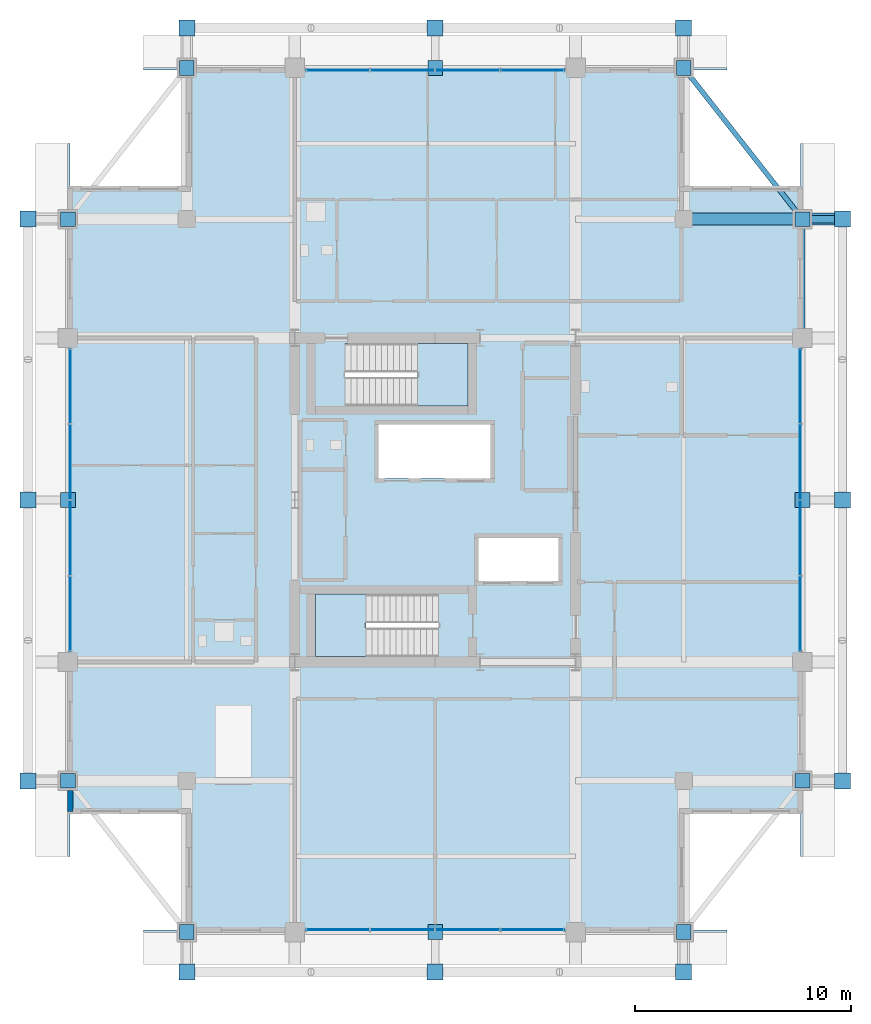
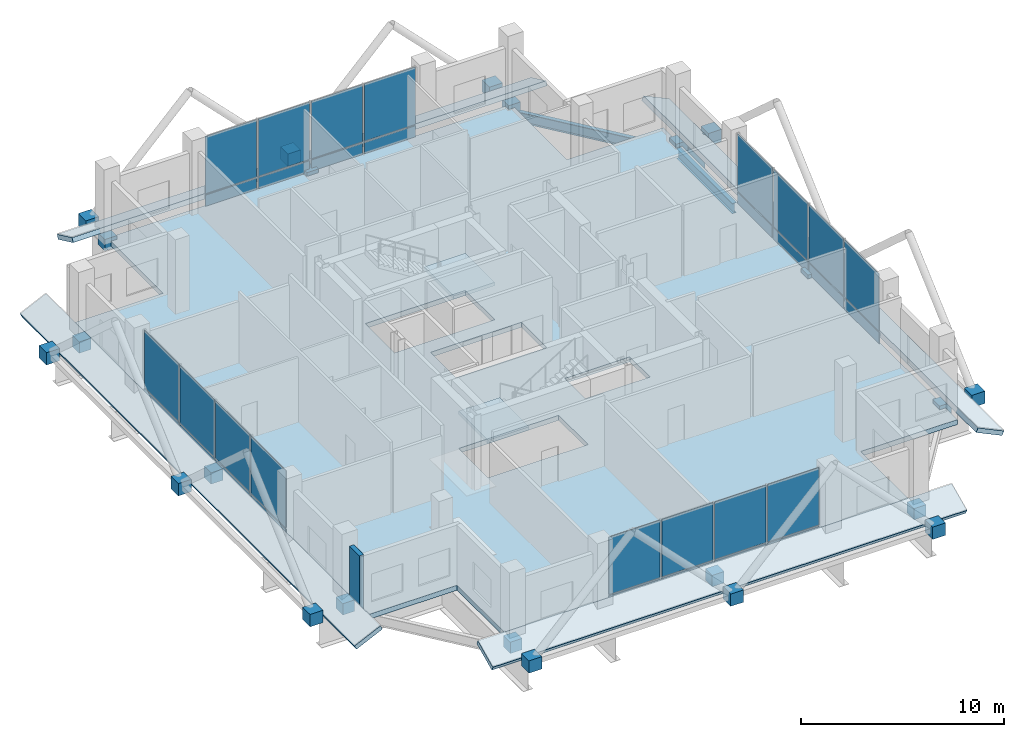
# One storey, part 19 of 27: 56 plates, 7 slabs, 3 beams, 1 member, 1 wall, 6 elements without a shape of their own.
"""IFC4 building model written with IfcOpenShell, lengths in metres."""

from ifc_helpers import new_model, si_unit, direction, frame, frame_2d, origin, origin_2d, place, context, subcontext, project, spatial, polyline, rectangle, hollow_circle, i_section, outline, extrude, material, layer, layer_set, material_profile, profile_set, type_object, element, aggregate, save


model = new_model("IFC4")

# Units and contexts
model_context = context("Model", 3, precision=1e-05, world=origin(), true_north=direction((0.0, 1.0)))
body_context = subcontext(model_context, "Body", "Model", "MODEL_VIEW")
ifc_project = project(units=[si_unit("LENGTHUNIT", "METRE"), si_unit("AREAUNIT", "SQUARE_METRE"), si_unit("VOLUMEUNIT", "CUBIC_METRE"), si_unit("PLANEANGLEUNIT", "RADIAN"), si_unit("MASSUNIT", "GRAM", prefix="KILO")], contexts=[model_context])

# Site, building, storey
site_placement = place(None, origin())
site = spatial("IfcSite", under=ifc_project, at=site_placement, CompositionType="ELEMENT")
building_placement = place(site_placement, origin())
building = spatial("IfcBuilding", under=site, at=building_placement, Name="Barlavira Tower and Art Museum", CompositionType="ELEMENT")
storey_placement = place(building_placement, frame((0.0, 0.0, 217.800048828125)))
storey = spatial("IfcBuildingStorey", under=building, at=storey_placement, Name="L56", CompositionType="ELEMENT", Elevation=217.800048828125)

# Member
ifc_material_1 = material(Name="Steel S355", Category="steel")
ifc_material_profile_1 = material_profile(ifc_material_1, hollow_circle(Radius=0.177734375, WallThickness=0.01611328125, at=origin_2d()), Name="CHS 355.6x16.0")
ifc_profile_set_1 = profile_set([ifc_material_profile_1], Name="Steel S355")
member_type = type_object("IfcMemberType", Name="Pale-Metal Exoskeleton Tie Strut CHS 356x16 Steel S355", PredefinedType="STRUT", material=ifc_profile_set_1)
member_placement = place(storey_placement, frame((18.85009765625, 13.0, -0.1201171875), z_axis=(-1.0, 0.0, 0.0), x_axis=(0.0, -1.0, 0.0)))
element("IfcMember", 1, at=member_placement, inside=storey, type_object=member_type, Name="L56 Exoskeleton Tie Strut E3", PredefinedType="STRUT", context=body_context, shape_type="SweptSolid", body=[
    extrude(hollow_circle(Radius=0.177734375, WallThickness=0.01611328125, at=origin_2d()), origin(), (0.0, 0.0, 1.0), 1.85009765625),
])

# Beams
ifc_material_profile_2 = material_profile(ifc_material_1, i_section(OverallWidth=0.22998046875, OverallDepth=0.616943359375, WebThickness=0.01318359375, FlangeThickness=0.022216796875, at=origin_2d()), Name="W610x140.0")
ifc_profile_set_2 = profile_set([ifc_material_profile_2], Name="Steel S355")
beam_type_1 = type_object("IfcBeamType", Name="Upper Shaft Spandrel Edge Beam W610x140 Steel S355", PredefinedType="SPANDREL", material=ifc_profile_set_2)
beam_1_placement = place(storey_placement, frame((17.0, 7.5, -0.608642578125), z_axis=(0.0, 1.0, 0.0), x_axis=(-1.0, 0.0, 0.0)))
element("IfcBeam", 2, at=beam_1_placement, inside=storey, type_object=beam_type_1, Name="L56 Spandrel 7", PredefinedType="SPANDREL", context=body_context, shape_type="SweptSolid", body=[
    extrude(i_section(OverallWidth=0.22998046875, OverallDepth=0.616943359375, WebThickness=0.01318359375, FlangeThickness=0.022216796875, at=origin_2d()), origin(), (0.0, 0.0, 1.0), 5.5),
])
beam_2_placement = place(storey_placement, frame((17.0, 13.0, -0.608642578125), z_axis=(-0.617821551932, 0.786318338822, 0.0), x_axis=(-0.786318338822, -0.617821551932, 0.0)))
element("IfcBeam", 3, at=beam_2_placement, inside=storey, type_object=beam_type_1, Name="L56 Spandrel 8", PredefinedType="SPANDREL", context=body_context, shape_type="SweptSolid", body=[
    extrude(i_section(OverallWidth=0.22998046875, OverallDepth=0.616943359375, WebThickness=0.01318359375, FlangeThickness=0.022216796875, at=origin_2d()), origin(), (0.0, 0.0, 1.0), 8.90234375),
])
ifc_material_profile_3 = material_profile(ifc_material_1, i_section(OverallWidth=0.550048828125, OverallDepth=1.800048828125, WebThickness=0.02587890625, FlangeThickness=0.033935546875, at=origin_2d()), Name="CVS1800x520")
ifc_profile_set_3 = profile_set([ifc_material_profile_3], Name="Steel S355")
beam_type_2 = type_object("IfcBeamType", Name="Zone Setback Transfer Girder CVS1800x520 Steel S355", PredefinedType="USERDEFINED", material=ifc_profile_set_3)
beam_3_placement = place(storey_placement, frame((11.5, 13.0, -1.199951171875), z_axis=(1.0, 0.0, 0.0), x_axis=(0.0, 1.0, 0.0)))
element("IfcBeam", 4, at=beam_3_placement, inside=storey, type_object=beam_type_2, Name="L56 Setback Transfer Girder TGL56-12", ObjectType="TRANSFER GIRDER", PredefinedType="USERDEFINED", context=body_context, shape_type="SweptSolid", body=[
    extrude(i_section(OverallWidth=0.550048828125, OverallDepth=1.800048828125, WebThickness=0.02587890625, FlangeThickness=0.033935546875, at=origin_2d()), origin(), (0.0, 0.0, 1.0), 7.0),
])

# Curtain wall, plates
ifc_material_2 = material(Name="Low-iron coastal laminated glass", Category="glass")
ifc_layer_1 = layer(ifc_material_2, 0.2099609375, Name="Low-iron coastal laminated glass")
ifc_layer_set_1 = layer_set([ifc_layer_1], Name="Low-iron coastal laminated glass")
curtain_wall_type = type_object("IfcCurtainWallType", Name="Pale-Metal Unitised Curtain Wall Zone 4", PredefinedType="NOTDEFINED", material=ifc_layer_set_1)
curtain_wall_1_placement = place(storey_placement, origin())
curtain_wall_1 = element("IfcCurtainWall", 5, at=curtain_wall_1_placement, inside=storey, type_object=curtain_wall_type, Name="L56 Curtain Wall CW4-L56-S-B2", PredefinedType="NOTDEFINED")
ifc_material_3 = material(Name="Pale anodised aluminium", Category="aluminium")
ifc_layer_2 = layer(ifc_material_3, 0.044921875, Name="Pale anodised aluminium")
ifc_layer_set_2 = layer_set([ifc_layer_2], Name="Pale anodised aluminium")
plate_type_1 = type_object("IfcPlateType", Name="Curtain Wall Pale-Metal Spandrel Panel 45", PredefinedType="CURTAIN_PANEL", material=ifc_layer_set_2)
plate_1_placement = place(storey_placement, frame((-4.5224609375, -19.89990234375, 0.0400390625), z_axis=(0.0, 0.0, 1.0), x_axis=(1.0, 0.0, 0.0)))
plate_1 = element("IfcPlate", 6, at=plate_1_placement, type_object=plate_type_1, Name="CW4-L56-S-B2 Spandrel Panel 0", PredefinedType="CURTAIN_PANEL", context=body_context, shape_type="SweptSolid", body=[
    extrude(rectangle(XDim=2.9150390625, YDim=0.044921875, at=origin_2d()), origin(), (0.0, 0.0, 1.0), 0.669921875),
])
plate_2_placement = place(storey_placement, frame((-1.507568359375, -19.89990234375, 0.0400390625), z_axis=(0.0, 0.0, 1.0), x_axis=(1.0, 0.0, 0.0)))
plate_2 = element("IfcPlate", 7, at=plate_2_placement, type_object=plate_type_1, Name="CW4-L56-S-B2 Spandrel Panel 1", PredefinedType="CURTAIN_PANEL", context=body_context, shape_type="SweptSolid", body=[
    extrude(rectangle(XDim=2.9150390625, YDim=0.044921875, at=origin_2d()), origin(), (0.0, 0.0, 1.0), 0.669921875),
])
plate_3_placement = place(storey_placement, frame((1.507568359375, -19.89990234375, 0.0400390625), z_axis=(0.0, 0.0, 1.0), x_axis=(1.0, 0.0, 0.0)))
plate_3 = element("IfcPlate", 8, at=plate_3_placement, type_object=plate_type_1, Name="CW4-L56-S-B2 Spandrel Panel 2", PredefinedType="CURTAIN_PANEL", context=body_context, shape_type="SweptSolid", body=[
    extrude(rectangle(XDim=2.9150390625, YDim=0.044921875, at=origin_2d()), origin(), (0.0, 0.0, 1.0), 0.669921875),
])
plate_4_placement = place(storey_placement, frame((4.5224609375, -19.89990234375, 0.0400390625), z_axis=(0.0, 0.0, 1.0), x_axis=(1.0, 0.0, 0.0)))
plate_4 = element("IfcPlate", 9, at=plate_4_placement, type_object=plate_type_1, Name="CW4-L56-S-B2 Spandrel Panel 3", PredefinedType="CURTAIN_PANEL", context=body_context, shape_type="SweptSolid", body=[
    extrude(rectangle(XDim=2.9150390625, YDim=0.044921875, at=origin_2d()), origin(), (0.0, 0.0, 1.0), 0.669921875),
])

curtain_wall_2_placement = place(storey_placement, origin())
curtain_wall_2 = element("IfcCurtainWall", 10, at=curtain_wall_2_placement, inside=storey, type_object=curtain_wall_type, Name="L56 Curtain Wall CW4-L56-N-B2", PredefinedType="NOTDEFINED")
plate_5_placement = place(storey_placement, frame((4.5224609375, 19.89990234375, 0.0400390625), z_axis=(0.0, 0.0, 1.0), x_axis=(-1.0, 0.0, 0.0)))
plate_5 = element("IfcPlate", 11, at=plate_5_placement, type_object=plate_type_1, Name="CW4-L56-N-B2 Spandrel Panel 0", PredefinedType="CURTAIN_PANEL", context=body_context, shape_type="SweptSolid", body=[
    extrude(rectangle(XDim=2.9150390625, YDim=0.044921875, at=origin_2d()), origin(), (0.0, 0.0, 1.0), 0.669921875),
])
plate_6_placement = place(storey_placement, frame((1.507568359375, 19.89990234375, 0.0400390625), z_axis=(0.0, 0.0, 1.0), x_axis=(-1.0, 0.0, 0.0)))
plate_6 = element("IfcPlate", 12, at=plate_6_placement, type_object=plate_type_1, Name="CW4-L56-N-B2 Spandrel Panel 1", PredefinedType="CURTAIN_PANEL", context=body_context, shape_type="SweptSolid", body=[
    extrude(rectangle(XDim=2.9150390625, YDim=0.044921875, at=origin_2d()), origin(), (0.0, 0.0, 1.0), 0.669921875),
])
plate_7_placement = place(storey_placement, frame((-1.507568359375, 19.89990234375, 0.0400390625), z_axis=(0.0, 0.0, 1.0), x_axis=(-1.0, 0.0, 0.0)))
plate_7 = element("IfcPlate", 13, at=plate_7_placement, type_object=plate_type_1, Name="CW4-L56-N-B2 Spandrel Panel 2", PredefinedType="CURTAIN_PANEL", context=body_context, shape_type="SweptSolid", body=[
    extrude(rectangle(XDim=2.9150390625, YDim=0.044921875, at=origin_2d()), origin(), (0.0, 0.0, 1.0), 0.669921875),
])
plate_8_placement = place(storey_placement, frame((-4.5224609375, 19.89990234375, 0.0400390625), z_axis=(0.0, 0.0, 1.0), x_axis=(-1.0, 0.0, 0.0)))
plate_8 = element("IfcPlate", 14, at=plate_8_placement, type_object=plate_type_1, Name="CW4-L56-N-B2 Spandrel Panel 3", PredefinedType="CURTAIN_PANEL", context=body_context, shape_type="SweptSolid", body=[
    extrude(rectangle(XDim=2.9150390625, YDim=0.044921875, at=origin_2d()), origin(), (0.0, 0.0, 1.0), 0.669921875),
])

curtain_wall_3_placement = place(storey_placement, origin())
curtain_wall_3 = element("IfcCurtainWall", 15, at=curtain_wall_3_placement, inside=storey, type_object=curtain_wall_type, Name="L56 Curtain Wall CW4-L56-W-B3", PredefinedType="NOTDEFINED")
plate_9_placement = place(storey_placement, frame((-16.89990234375, 5.2724609375, 0.0400390625), z_axis=(0.0, 0.0, 1.0), x_axis=(0.0, -1.0, 0.0)))
plate_9 = element("IfcPlate", 16, at=plate_9_placement, type_object=plate_type_1, Name="CW4-L56-W-B3 Spandrel Panel 0", PredefinedType="CURTAIN_PANEL", context=body_context, shape_type="SweptSolid", body=[
    extrude(rectangle(XDim=3.4150390625, YDim=0.044921875, at=origin_2d()), origin(), (0.0, 0.0, 1.0), 0.669921875),
])
plate_10_placement = place(storey_placement, frame((-16.89990234375, 1.757568359375, 0.0400390625), z_axis=(0.0, 0.0, 1.0), x_axis=(0.0, -1.0, 0.0)))
plate_10 = element("IfcPlate", 17, at=plate_10_placement, type_object=plate_type_1, Name="CW4-L56-W-B3 Spandrel Panel 1", PredefinedType="CURTAIN_PANEL", context=body_context, shape_type="SweptSolid", body=[
    extrude(rectangle(XDim=3.4150390625, YDim=0.044921875, at=origin_2d()), origin(), (0.0, 0.0, 1.0), 0.669921875),
])
plate_11_placement = place(storey_placement, frame((-16.89990234375, -1.757568359375, 0.0400390625), z_axis=(0.0, 0.0, 1.0), x_axis=(0.0, -1.0, 0.0)))
plate_11 = element("IfcPlate", 18, at=plate_11_placement, type_object=plate_type_1, Name="CW4-L56-W-B3 Spandrel Panel 2", PredefinedType="CURTAIN_PANEL", context=body_context, shape_type="SweptSolid", body=[
    extrude(rectangle(XDim=3.4150390625, YDim=0.044921875, at=origin_2d()), origin(), (0.0, 0.0, 1.0), 0.669921875),
])
plate_12_placement = place(storey_placement, frame((-16.89990234375, -5.2724609375, 0.0400390625), z_axis=(0.0, 0.0, 1.0), x_axis=(0.0, -1.0, 0.0)))
plate_12 = element("IfcPlate", 19, at=plate_12_placement, type_object=plate_type_1, Name="CW4-L56-W-B3 Spandrel Panel 3", PredefinedType="CURTAIN_PANEL", context=body_context, shape_type="SweptSolid", body=[
    extrude(rectangle(XDim=3.4150390625, YDim=0.044921875, at=origin_2d()), origin(), (0.0, 0.0, 1.0), 0.669921875),
])

curtain_wall_4_placement = place(storey_placement, origin())
curtain_wall_4 = element("IfcCurtainWall", 20, at=curtain_wall_4_placement, inside=storey, type_object=curtain_wall_type, Name="L56 Curtain Wall CW4-L56-E-B3", PredefinedType="NOTDEFINED")
plate_13_placement = place(storey_placement, frame((16.89990234375, -5.2724609375, 0.0400390625), z_axis=(0.0, 0.0, 1.0), x_axis=(0.0, 1.0, 0.0)))
plate_13 = element("IfcPlate", 21, at=plate_13_placement, type_object=plate_type_1, Name="CW4-L56-E-B3 Spandrel Panel 0", PredefinedType="CURTAIN_PANEL", context=body_context, shape_type="SweptSolid", body=[
    extrude(rectangle(XDim=3.4150390625, YDim=0.044921875, at=origin_2d()), origin(), (0.0, 0.0, 1.0), 0.669921875),
])
plate_14_placement = place(storey_placement, frame((16.89990234375, -1.757568359375, 0.0400390625), z_axis=(0.0, 0.0, 1.0), x_axis=(0.0, 1.0, 0.0)))
plate_14 = element("IfcPlate", 22, at=plate_14_placement, type_object=plate_type_1, Name="CW4-L56-E-B3 Spandrel Panel 1", PredefinedType="CURTAIN_PANEL", context=body_context, shape_type="SweptSolid", body=[
    extrude(rectangle(XDim=3.4150390625, YDim=0.044921875, at=origin_2d()), origin(), (0.0, 0.0, 1.0), 0.669921875),
])
plate_15_placement = place(storey_placement, frame((16.89990234375, 1.757568359375, 0.0400390625), z_axis=(0.0, 0.0, 1.0), x_axis=(0.0, 1.0, 0.0)))
plate_15 = element("IfcPlate", 23, at=plate_15_placement, type_object=plate_type_1, Name="CW4-L56-E-B3 Spandrel Panel 2", PredefinedType="CURTAIN_PANEL", context=body_context, shape_type="SweptSolid", body=[
    extrude(rectangle(XDim=3.4150390625, YDim=0.044921875, at=origin_2d()), origin(), (0.0, 0.0, 1.0), 0.669921875),
])
plate_16_placement = place(storey_placement, frame((16.89990234375, 5.2724609375, 0.0400390625), z_axis=(0.0, 0.0, 1.0), x_axis=(0.0, 1.0, 0.0)))
plate_16 = element("IfcPlate", 24, at=plate_16_placement, type_object=plate_type_1, Name="CW4-L56-E-B3 Spandrel Panel 3", PredefinedType="CURTAIN_PANEL", context=body_context, shape_type="SweptSolid", body=[
    extrude(rectangle(XDim=3.4150390625, YDim=0.044921875, at=origin_2d()), origin(), (0.0, 0.0, 1.0), 0.669921875),
])

# Plate
ifc_layer_3 = layer(ifc_material_2, 0.028076171875, Name="Low-iron coastal laminated glass")
ifc_layer_set_3 = layer_set([ifc_layer_3], Name="Low-iron coastal laminated glass")
plate_type_2 = type_object("IfcPlateType", Name="Curtain Wall Vision Glazing Panel 28", PredefinedType="CURTAIN_PANEL", material=ifc_layer_set_3)
plate_17_placement = place(storey_placement, frame((-4.5224609375, -19.89990234375, 0.7900390625), z_axis=(0.0, 0.0, 1.0), x_axis=(1.0, 0.0, 0.0)))
plate_17 = element("IfcPlate", 25, at=plate_17_placement, type_object=plate_type_2, Name="CW4-L56-S-B2 Vision Glass Panel 0", PredefinedType="CURTAIN_PANEL", context=body_context, shape_type="SweptSolid", body=[
    extrude(rectangle(XDim=2.9150390625, YDim=0.028076171875, at=origin_2d()), origin(), (0.0, 0.0, 1.0), 3.449951171875),
])

plate_18_placement = place(storey_placement, frame((-1.507568359375, -19.89990234375, 0.7900390625), z_axis=(0.0, 0.0, 1.0), x_axis=(1.0, 0.0, 0.0)))
plate_18 = element("IfcPlate", 26, at=plate_18_placement, type_object=plate_type_2, Name="CW4-L56-S-B2 Vision Glass Panel 1", PredefinedType="CURTAIN_PANEL", context=body_context, shape_type="SweptSolid", body=[
    extrude(rectangle(XDim=2.9150390625, YDim=0.028076171875, at=origin_2d()), origin(), (0.0, 0.0, 1.0), 3.449951171875),
])

plate_19_placement = place(storey_placement, frame((1.507568359375, -19.89990234375, 0.7900390625), z_axis=(0.0, 0.0, 1.0), x_axis=(1.0, 0.0, 0.0)))
plate_19 = element("IfcPlate", 27, at=plate_19_placement, type_object=plate_type_2, Name="CW4-L56-S-B2 Vision Glass Panel 2", PredefinedType="CURTAIN_PANEL", context=body_context, shape_type="SweptSolid", body=[
    extrude(rectangle(XDim=2.9150390625, YDim=0.028076171875, at=origin_2d()), origin(), (0.0, 0.0, 1.0), 3.449951171875),
])

plate_20_placement = place(storey_placement, frame((4.5224609375, -19.89990234375, 0.7900390625), z_axis=(0.0, 0.0, 1.0), x_axis=(1.0, 0.0, 0.0)))
plate_20 = element("IfcPlate", 28, at=plate_20_placement, type_object=plate_type_2, Name="CW4-L56-S-B2 Vision Glass Panel 3", PredefinedType="CURTAIN_PANEL", context=body_context, shape_type="SweptSolid", body=[
    extrude(rectangle(XDim=2.9150390625, YDim=0.028076171875, at=origin_2d()), origin(), (0.0, 0.0, 1.0), 3.449951171875),
])

aggregate(curtain_wall_1, [plate_1, plate_17, plate_2, plate_18, plate_3, plate_19, plate_4, plate_20])

plate_21_placement = place(storey_placement, frame((4.5224609375, 19.89990234375, 0.7900390625), z_axis=(0.0, 0.0, 1.0), x_axis=(-1.0, 0.0, 0.0)))
plate_21 = element("IfcPlate", 29, at=plate_21_placement, type_object=plate_type_2, Name="CW4-L56-N-B2 Vision Glass Panel 0", PredefinedType="CURTAIN_PANEL", context=body_context, shape_type="SweptSolid", body=[
    extrude(rectangle(XDim=2.9150390625, YDim=0.028076171875, at=origin_2d()), origin(), (0.0, 0.0, 1.0), 3.449951171875),
])

plate_22_placement = place(storey_placement, frame((1.507568359375, 19.89990234375, 0.7900390625), z_axis=(0.0, 0.0, 1.0), x_axis=(-1.0, 0.0, 0.0)))
plate_22 = element("IfcPlate", 30, at=plate_22_placement, type_object=plate_type_2, Name="CW4-L56-N-B2 Vision Glass Panel 1", PredefinedType="CURTAIN_PANEL", context=body_context, shape_type="SweptSolid", body=[
    extrude(rectangle(XDim=2.9150390625, YDim=0.028076171875, at=origin_2d()), origin(), (0.0, 0.0, 1.0), 3.449951171875),
])

plate_23_placement = place(storey_placement, frame((-1.507568359375, 19.89990234375, 0.7900390625), z_axis=(0.0, 0.0, 1.0), x_axis=(-1.0, 0.0, 0.0)))
plate_23 = element("IfcPlate", 31, at=plate_23_placement, type_object=plate_type_2, Name="CW4-L56-N-B2 Vision Glass Panel 2", PredefinedType="CURTAIN_PANEL", context=body_context, shape_type="SweptSolid", body=[
    extrude(rectangle(XDim=2.9150390625, YDim=0.028076171875, at=origin_2d()), origin(), (0.0, 0.0, 1.0), 3.449951171875),
])

plate_24_placement = place(storey_placement, frame((-4.5224609375, 19.89990234375, 0.7900390625), z_axis=(0.0, 0.0, 1.0), x_axis=(-1.0, 0.0, 0.0)))
plate_24 = element("IfcPlate", 32, at=plate_24_placement, type_object=plate_type_2, Name="CW4-L56-N-B2 Vision Glass Panel 3", PredefinedType="CURTAIN_PANEL", context=body_context, shape_type="SweptSolid", body=[
    extrude(rectangle(XDim=2.9150390625, YDim=0.028076171875, at=origin_2d()), origin(), (0.0, 0.0, 1.0), 3.449951171875),
])

aggregate(curtain_wall_2, [plate_5, plate_21, plate_6, plate_22, plate_7, plate_23, plate_8, plate_24])

plate_25_placement = place(storey_placement, frame((-16.89990234375, 5.2724609375, 0.7900390625), z_axis=(0.0, 0.0, 1.0), x_axis=(0.0, -1.0, 0.0)))
plate_25 = element("IfcPlate", 33, at=plate_25_placement, type_object=plate_type_2, Name="CW4-L56-W-B3 Vision Glass Panel 0", PredefinedType="CURTAIN_PANEL", context=body_context, shape_type="SweptSolid", body=[
    extrude(rectangle(XDim=3.4150390625, YDim=0.028076171875, at=origin_2d()), origin(), (0.0, 0.0, 1.0), 3.449951171875),
])

plate_26_placement = place(storey_placement, frame((-16.89990234375, 1.757568359375, 0.7900390625), z_axis=(0.0, 0.0, 1.0), x_axis=(0.0, -1.0, 0.0)))
plate_26 = element("IfcPlate", 34, at=plate_26_placement, type_object=plate_type_2, Name="CW4-L56-W-B3 Vision Glass Panel 1", PredefinedType="CURTAIN_PANEL", context=body_context, shape_type="SweptSolid", body=[
    extrude(rectangle(XDim=3.4150390625, YDim=0.028076171875, at=origin_2d()), origin(), (0.0, 0.0, 1.0), 3.449951171875),
])

plate_27_placement = place(storey_placement, frame((-16.89990234375, -1.757568359375, 0.7900390625), z_axis=(0.0, 0.0, 1.0), x_axis=(0.0, -1.0, 0.0)))
plate_27 = element("IfcPlate", 35, at=plate_27_placement, type_object=plate_type_2, Name="CW4-L56-W-B3 Vision Glass Panel 2", PredefinedType="CURTAIN_PANEL", context=body_context, shape_type="SweptSolid", body=[
    extrude(rectangle(XDim=3.4150390625, YDim=0.028076171875, at=origin_2d()), origin(), (0.0, 0.0, 1.0), 3.449951171875),
])

plate_28_placement = place(storey_placement, frame((-16.89990234375, -5.2724609375, 0.7900390625), z_axis=(0.0, 0.0, 1.0), x_axis=(0.0, -1.0, 0.0)))
plate_28 = element("IfcPlate", 36, at=plate_28_placement, type_object=plate_type_2, Name="CW4-L56-W-B3 Vision Glass Panel 3", PredefinedType="CURTAIN_PANEL", context=body_context, shape_type="SweptSolid", body=[
    extrude(rectangle(XDim=3.4150390625, YDim=0.028076171875, at=origin_2d()), origin(), (0.0, 0.0, 1.0), 3.449951171875),
])

aggregate(curtain_wall_3, [plate_9, plate_25, plate_10, plate_26, plate_11, plate_27, plate_12, plate_28])

plate_29_placement = place(storey_placement, frame((16.89990234375, -5.2724609375, 0.7900390625), z_axis=(0.0, 0.0, 1.0), x_axis=(0.0, 1.0, 0.0)))
plate_29 = element("IfcPlate", 37, at=plate_29_placement, type_object=plate_type_2, Name="CW4-L56-E-B3 Vision Glass Panel 0", PredefinedType="CURTAIN_PANEL", context=body_context, shape_type="SweptSolid", body=[
    extrude(rectangle(XDim=3.4150390625, YDim=0.028076171875, at=origin_2d()), origin(), (0.0, 0.0, 1.0), 3.449951171875),
])

plate_30_placement = place(storey_placement, frame((16.89990234375, -1.757568359375, 0.7900390625), z_axis=(0.0, 0.0, 1.0), x_axis=(0.0, 1.0, 0.0)))
plate_30 = element("IfcPlate", 38, at=plate_30_placement, type_object=plate_type_2, Name="CW4-L56-E-B3 Vision Glass Panel 1", PredefinedType="CURTAIN_PANEL", context=body_context, shape_type="SweptSolid", body=[
    extrude(rectangle(XDim=3.4150390625, YDim=0.028076171875, at=origin_2d()), origin(), (0.0, 0.0, 1.0), 3.449951171875),
])

plate_31_placement = place(storey_placement, frame((16.89990234375, 1.757568359375, 0.7900390625), z_axis=(0.0, 0.0, 1.0), x_axis=(0.0, 1.0, 0.0)))
plate_31 = element("IfcPlate", 39, at=plate_31_placement, type_object=plate_type_2, Name="CW4-L56-E-B3 Vision Glass Panel 2", PredefinedType="CURTAIN_PANEL", context=body_context, shape_type="SweptSolid", body=[
    extrude(rectangle(XDim=3.4150390625, YDim=0.028076171875, at=origin_2d()), origin(), (0.0, 0.0, 1.0), 3.449951171875),
])

plate_32_placement = place(storey_placement, frame((16.89990234375, 5.2724609375, 0.7900390625), z_axis=(0.0, 0.0, 1.0), x_axis=(0.0, 1.0, 0.0)))
plate_32 = element("IfcPlate", 40, at=plate_32_placement, type_object=plate_type_2, Name="CW4-L56-E-B3 Vision Glass Panel 3", PredefinedType="CURTAIN_PANEL", context=body_context, shape_type="SweptSolid", body=[
    extrude(rectangle(XDim=3.4150390625, YDim=0.028076171875, at=origin_2d()), origin(), (0.0, 0.0, 1.0), 3.449951171875),
])

aggregate(curtain_wall_4, [plate_13, plate_29, plate_14, plate_30, plate_15, plate_31, plate_16, plate_32])

# Plates
ifc_layer_4 = layer(ifc_material_1, 0.739990234375, Name="Steel S355")
ifc_layer_set_4 = layer_set([ifc_layer_4], Name="Steel S355")
plate_type_3 = type_object("IfcPlateType", Name="Exoskeleton Solid Steel Node Cap Plate Assembly Type 4 Steel S355", PredefinedType="USERDEFINED", material=ifc_layer_set_4)
for number, where, z_axis, x_axis, name in (
    (41, (-11.5, -21.85009765625, -0.490234375), (0.0, 0.0, 1.0), (1.0, 0.0, 0.0), "Exoskeleton Node S ND-L56-0625"),
    (42, (0.0, -21.85009765625, -0.490234375), (0.0, 0.0, 1.0), (1.0, 0.0, 0.0), "Exoskeleton Node S ND-L56-0626"),
    (43, (11.5, -21.85009765625, -0.490234375), (0.0, 0.0, 1.0), (1.0, 0.0, 0.0), "Exoskeleton Node S ND-L56-0627"),
    (44, (-11.5, 21.85009765625, -0.490234375), (0.0, 0.0, 1.0), (1.0, 0.0, 0.0), "Exoskeleton Node N ND-L56-0636"),
    (45, (0.0, 21.85009765625, -0.490234375), (0.0, 0.0, 1.0), (1.0, 0.0, 0.0), "Exoskeleton Node N ND-L56-0637"),
    (46, (11.5, 21.85009765625, -0.490234375), (0.0, 0.0, 1.0), (1.0, 0.0, 0.0), "Exoskeleton Node N ND-L56-0638"),
    (47, (-18.85009765625, -13.0, -0.490234375), (0.0, 0.0, 1.0), (1.0, 0.0, 0.0), "Exoskeleton Node W ND-L56-0647"),
    (48, (-18.85009765625, 0.0, -0.490234375), (0.0, 0.0, 1.0), (1.0, 0.0, 0.0), "Exoskeleton Node W ND-L56-0648"),
    (49, (-18.85009765625, 13.0, -0.490234375), (0.0, 0.0, 1.0), (1.0, 0.0, 0.0), "Exoskeleton Node W ND-L56-0649"),
    (50, (18.85009765625, -13.0, -0.490234375), (0.0, 0.0, 1.0), (1.0, 0.0, 0.0), "Exoskeleton Node E ND-L56-0658"),
    (51, (18.85009765625, 0.0, -0.490234375), (0.0, 0.0, 1.0), (1.0, 0.0, 0.0), "Exoskeleton Node E ND-L56-0659"),
    (52, (18.85009765625, 13.0, -0.490234375), (0.0, 0.0, 1.0), (1.0, 0.0, 0.0), "Exoskeleton Node E ND-L56-0660"),
):
    element("IfcPlate", number, at=place(storey_placement, frame(where, z_axis=z_axis, x_axis=x_axis)), inside=storey, type_object=plate_type_3, Name=name, ObjectType="FLANGE_PLATE", PredefinedType="USERDEFINED", context=body_context, shape_type="SweptSolid", body=[
        extrude(rectangle(XDim=0.739990234375, YDim=0.739990234375, at=origin_2d()), origin(), (0.0, 0.0, 1.0), 0.739990234375),
    ])
ifc_layer_5 = layer(ifc_material_1, 0.679931640625, Name="Steel S355")
ifc_layer_set_5 = layer_set([ifc_layer_5], Name="Steel S355")
plate_type_4 = type_object("IfcPlateType", Name="Exoskeleton Tie-Back Solid Cap Plate Assembly Type 5 Steel S355", PredefinedType="USERDEFINED", material=ifc_layer_set_5)
for number, where, z_axis, x_axis, name in (
    (53, (-11.5, -20.0, -0.4599609375), (0.0, 0.0, 1.0), (1.0, 0.0, 0.0), "Slab Edge Tie Cap Plate S1 ND-L56-0633"),
    (54, (0.0, -20.0, -0.4599609375), (0.0, 0.0, 1.0), (1.0, 0.0, 0.0), "Slab Edge Tie Cap Plate S2 ND-L56-0634"),
    (55, (11.5, -20.0, -0.4599609375), (0.0, 0.0, 1.0), (1.0, 0.0, 0.0), "Slab Edge Tie Cap Plate S3 ND-L56-0635"),
    (56, (-11.5, 20.0, -0.4599609375), (0.0, 0.0, 1.0), (1.0, 0.0, 0.0), "Slab Edge Tie Cap Plate N1 ND-L56-0644"),
    (57, (0.0, 20.0, -0.4599609375), (0.0, 0.0, 1.0), (1.0, 0.0, 0.0), "Slab Edge Tie Cap Plate N2 ND-L56-0645"),
    (58, (11.5, 20.0, -0.4599609375), (0.0, 0.0, 1.0), (1.0, 0.0, 0.0), "Slab Edge Tie Cap Plate N3 ND-L56-0646"),
    (59, (-17.0, -13.0, -0.4599609375), (0.0, 0.0, 1.0), (1.0, 0.0, 0.0), "Slab Edge Tie Cap Plate W1 ND-L56-0655"),
    (60, (-17.0, 0.0, -0.4599609375), (0.0, 0.0, 1.0), (1.0, 0.0, 0.0), "Slab Edge Tie Cap Plate W2 ND-L56-0656"),
    (61, (-17.0, 13.0, -0.4599609375), (0.0, 0.0, 1.0), (1.0, 0.0, 0.0), "Slab Edge Tie Cap Plate W3 ND-L56-0657"),
    (62, (17.0, -13.0, -0.4599609375), (0.0, 0.0, 1.0), (1.0, 0.0, 0.0), "Slab Edge Tie Cap Plate E1 ND-L56-0666"),
    (63, (17.0, 0.0, -0.4599609375), (0.0, 0.0, 1.0), (1.0, 0.0, 0.0), "Slab Edge Tie Cap Plate E2 ND-L56-0667"),
    (64, (17.0, 13.0, -0.4599609375), (0.0, 0.0, 1.0), (1.0, 0.0, 0.0), "Slab Edge Tie Cap Plate E3 ND-L56-0668"),
):
    element("IfcPlate", number, at=place(storey_placement, frame(where, z_axis=z_axis, x_axis=x_axis)), inside=storey, type_object=plate_type_4, Name=name, ObjectType="FLANGE_PLATE", PredefinedType="USERDEFINED", context=body_context, shape_type="SweptSolid", body=[
        extrude(rectangle(XDim=0.679931640625, YDim=0.679931640625, at=origin_2d()), origin(), (0.0, 0.0, 1.0), 0.679931640625),
    ])

# Slabs
ifc_material_4 = material(Name="Concrete C55", Category="concrete")
ifc_layer_6 = layer(ifc_material_4, 0.300048828125, Name="Concrete C55")
ifc_layer_set_6 = layer_set([ifc_layer_6], Name="Concrete C55")
slab_type_1 = type_object("IfcSlabType", Name="Sky-Lobby and Wind-Refuge Heavy Slab 300 Concrete C55", PredefinedType="FLOOR", material=ifc_layer_set_6)
slab_1_placement = place(storey_placement, frame((0.0, 0.0, -0.300048828125)))
element("IfcSlab", 65, at=slab_1_placement, inside=storey, type_object=slab_type_1, Name="L56 Tower Floor Slab", PredefinedType="FLOOR", context=body_context, shape_type="SweptSolid", body=[
    extrude(outline(polyline([(-11.5, -20.0), (11.5, -20.0), (11.5, -14.5), (17.0, -14.5), (17.0, 14.5), (11.5, 14.5), (11.5, 20.0), (-11.5, 20.0), (-11.5, 14.5), (-17.0, 14.5), (-17.0, -14.5), (-11.5, -14.5), (-11.5, -20.0)]), holes=[polyline([(0.14990234375, -4.35009765625), (-5.550048828125, -4.35009765625), (-5.550048828125, -7.25), (0.14990234375, -7.25), (0.14990234375, -4.35009765625)]), polyline([(-4.169921875, 4.35009765625), (1.530029296875, 4.35009765625), (1.530029296875, 7.25), (-4.169921875, 7.25), (-4.169921875, 4.35009765625)]), polyline([(-2.6201171875, 1.0), (2.56005859375, 1.0), (2.56005859375, 3.5), (-2.6201171875, 3.5), (-2.6201171875, 1.0)]), polyline([(2.0, -3.75), (5.699951171875, -3.75), (5.699951171875, -1.75), (2.0, -1.75), (2.0, -3.75)])]), origin(), (0.0, 0.0, 1.0), 0.300048828125),
])
ifc_material_5 = material(Name="Precast concrete C40", Category="concrete")
ifc_layer_7 = layer(ifc_material_5, 0.260009765625, Name="Precast concrete C40")
ifc_layer_set_7 = layer_set([ifc_layer_7], Name="Precast concrete C40")
slab_type_2 = type_object("IfcSlabType", Name="Sloped Pale-Metal Step-In Roof Strip 260 Precast C40", PredefinedType="ROOF", material=ifc_layer_set_7)
for number, where, z_axis, x_axis, name in (
    (66, (-13.5, -20.02001953125, 0.699462890625), (0.0, -0.42729760809, 0.904111029753), (1.0, 0.0, 0.0), "L56 S Chisel Step-In Sloped Roof Strip"),
    (67, (-13.5, 21.5, 0.0), (0.0, 0.42729760809, 0.904111029753), (1.0, 0.0, 0.0), "L56 N Chisel Step-In Sloped Roof Strip"),
):
    element("IfcSlab", number, at=place(storey_placement, frame(where, z_axis=z_axis, x_axis=x_axis)), inside=storey, type_object=slab_type_2, Name=name, PredefinedType="ROOF", context=body_context, shape_type="SweptSolid", body=[
        extrude(outline(polyline([(0.0, 0.0), (27.0, 0.0), (27.0, -1.6369454857272892), (0.0, -1.6369454857272892), (0.0, 0.0)])), origin(), (0.0, 0.0, -1.0), 0.260009765625),
    ])
for number, where, z_axis, x_axis, name in (
    (68, (-18.5, -16.5, 0.0), (-0.42729760809, 0.0, 0.904111029753), (0.904111029753, 0.0, 0.42729760809), "L56 W Chisel Step-In Sloped Roof Strip"),
    (69, (17.02001953125, -16.5, 0.699462890625), (0.42729760809, 0.0, 0.904111029753), (0.904111029753, 0.0, -0.42729760809), "L56 E Chisel Step-In Sloped Roof Strip"),
):
    element("IfcSlab", number, at=place(storey_placement, frame(where, z_axis=z_axis, x_axis=x_axis)), inside=storey, type_object=slab_type_2, Name=name, PredefinedType="ROOF", context=body_context, shape_type="SweptSolid", body=[
        extrude(outline(polyline([(0.0, 0.0), (1.6369454857272892, 0.0), (1.6369454857272892, 33.0), (0.0, 33.0), (0.0, 0.0)])), origin(), (0.0, 0.0, -1.0), 0.260009765625),
    ])

# Stair, slab
ifc_material_6 = material(Name="Concrete C45", Category="concrete")
stair_type_1 = type_object("IfcStairType", Name="Tower North Dog-Leg Exit Stair Assembly Concrete C45", PredefinedType="TWO_QUARTER_TURN_STAIR", material=ifc_material_6)
stair_1_placement = place(storey_placement, origin())
stair_1 = element("IfcStair", 70, at=stair_1_placement, inside=storey, type_object=stair_type_1, Name="L56 Tower North Exit Stair ST-T2", PredefinedType="TWO_QUARTER_TURN_STAIR")
ifc_layer_8 = layer(ifc_material_6, 0.199951171875, Name="Concrete C45")
ifc_layer_set_8 = layer_set([ifc_layer_8], Name="Concrete C45")
slab_type_3 = type_object("IfcSlabType", Name="Tower North Dog-Leg Exit Stair Half-Landing Slab 200 Concrete C45", PredefinedType="LANDING", material=ifc_layer_set_8)
slab_2_placement = place(storey_placement, frame((0.0, 0.0, 2.050048828125)))
slab_2 = element("IfcSlab", 71, at=slab_2_placement, type_object=slab_type_3, Name="ST-T2 landing 1", PredefinedType="LANDING", context=body_context, shape_type="SweptSolid", body=[
    extrude(outline(polyline([(-0.81005859375, 4.35009765625), (1.530029296875, 4.35009765625), (1.530029296875, 7.25), (-0.81005859375, 7.25), (-0.81005859375, 4.35009765625)])), origin(), (0.0, 0.0, 1.0), 0.199951171875),
])
aggregate(stair_1, [slab_2])

stair_type_2 = type_object("IfcStairType", Name="Tower South Dog-Leg Exit Stair Assembly Concrete C45", PredefinedType="TWO_QUARTER_TURN_STAIR", material=ifc_material_6)
stair_2_placement = place(storey_placement, origin())
stair_2 = element("IfcStair", 72, at=stair_2_placement, inside=storey, type_object=stair_type_2, Name="L56 Tower South Exit Stair ST-T1", PredefinedType="TWO_QUARTER_TURN_STAIR")
ifc_layer_9 = layer(ifc_material_6, 0.199951171875, Name="Concrete C45")
ifc_layer_set_9 = layer_set([ifc_layer_9], Name="Concrete C45")
slab_type_4 = type_object("IfcSlabType", Name="Tower South Dog-Leg Exit Stair Half-Landing Slab 200 Concrete C45", PredefinedType="LANDING", material=ifc_layer_set_9)
slab_3_placement = place(storey_placement, frame((0.0, 0.0, 2.050048828125)))
slab_3 = element("IfcSlab", 73, at=slab_3_placement, type_object=slab_type_4, Name="ST-T1 landing 1", PredefinedType="LANDING", context=body_context, shape_type="SweptSolid", body=[
    extrude(outline(polyline([(-3.2099609375, -4.35009765625), (-5.550048828125, -4.35009765625), (-5.550048828125, -7.25), (-3.2099609375, -7.25), (-3.2099609375, -4.35009765625)])), origin(), (0.0, 0.0, 1.0), 0.199951171875),
])
aggregate(stair_2, [slab_3])

# Wall
ifc_layer_10 = layer(ifc_material_5, 0.25, Name="Precast concrete C40")
ifc_layer_set_10 = layer_set([ifc_layer_10], Name="Precast concrete C40")
wall_type = type_object("IfcWallType", Name="Notched Corner Spandrel Wall 250 Precast Concrete C40", PredefinedType="SOLIDWALL", material=ifc_layer_set_10)
wall_placement = place(storey_placement, frame((-16.89990234375, -13.445068359375, 0.0), z_axis=(0.0, 0.0, 1.0), x_axis=(0.0, -1.0, 0.0)))
element("IfcWall", 74, at=wall_placement, inside=storey, type_object=wall_type, Name="L56 Coastal Facade Pier Wall CW4-L56-W-5", PredefinedType="SOLIDWALL", context=body_context, shape_type="SweptSolid", body=[
    extrude(rectangle(XDim=0.97998046875, YDim=0.25, at=frame_2d((0.489990234375, 0.0))), origin(), (0.0, 0.0, 1.0), 3.64794921875),
])

save(model, "model.ifc")
